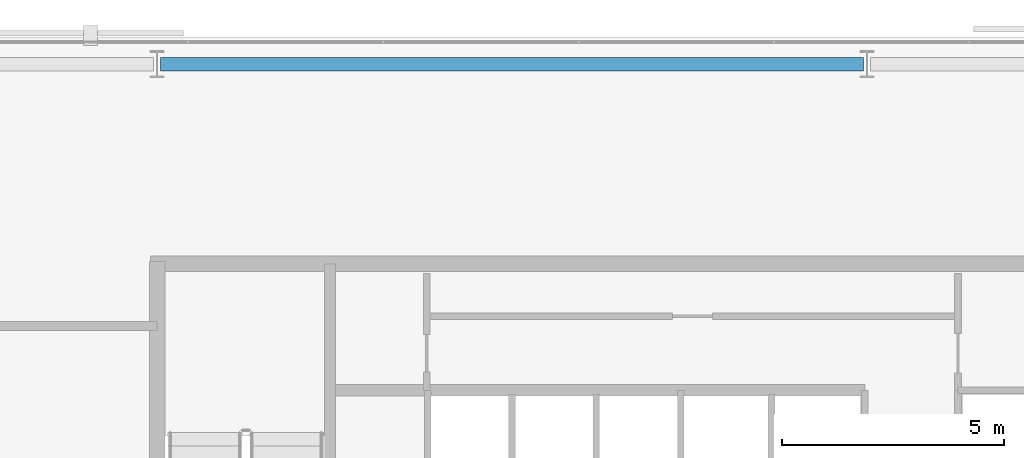
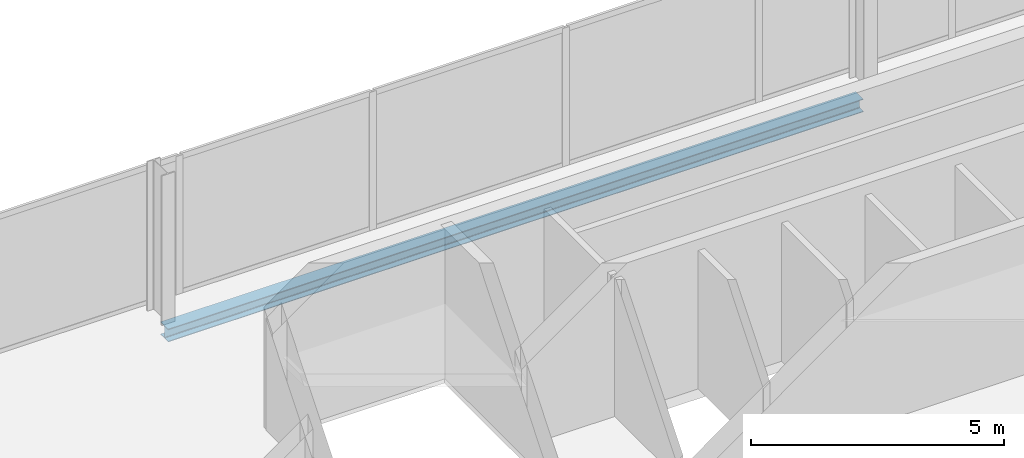
# One storey, part 21 of 32: 1 beam.
"""IFC4 building model written with IfcOpenShell, lengths in metres."""

from ifc_helpers import new_model, si_unit, direction, frame, origin, origin_2d, place, context, subcontext, project, spatial, i_section, extrude, material, material_profile, profile_set, type_object, element, save


model = new_model("IFC4")

# Units and contexts
model_context = context("Model", 3, precision=1e-05, world=origin(), true_north=direction((0.0, 1.0)))
body_context = subcontext(model_context, "Body", "Model", "MODEL_VIEW")
ifc_project = project(units=[si_unit("LENGTHUNIT", "METRE"), si_unit("AREAUNIT", "SQUARE_METRE"), si_unit("VOLUMEUNIT", "CUBIC_METRE"), si_unit("PLANEANGLEUNIT", "RADIAN"), si_unit("MASSUNIT", "GRAM", prefix="KILO")], contexts=[model_context])

# Site, building, storey
site_placement = place(None, origin())
site = spatial("IfcSite", under=ifc_project, at=site_placement, CompositionType="ELEMENT")
building_placement = place(site_placement, origin())
building = spatial("IfcBuilding", under=site, at=building_placement, Name="Catumbela Crestline Tower", CompositionType="ELEMENT")
storey_placement = place(building_placement, frame((0.0, 0.0, 136.8)))
storey = spatial("IfcBuildingStorey", under=building, at=storey_placement, Name="L35", CompositionType="ELEMENT", Elevation=136.8)

# Beam
ifc_material = material(Name="Structural steel S355J2", Category="steel")
ifc_material_profile = material_profile(ifc_material, i_section(OverallWidth=0.3, OverallDepth=0.31, WebThickness=0.009, FlangeThickness=0.0155, FilletRadius=0.027, at=origin_2d()), Name="HEA 320")
ifc_profile_set = profile_set([ifc_material_profile], Name="Structural steel S355J2")
beam_type = type_object("IfcBeamType", Name="BS-HEA320", PredefinedType="SPANDREL", material=ifc_profile_set)
beam_placement = place(storey_placement, frame((16.08, 47.4, -0.415), z_axis=(1.0, 0.0, 0.0), x_axis=(0.0, 1.0, 0.0)))
element("IfcBeam", 1, at=beam_placement, inside=storey, type_object=beam_type, Name="L35 Spandrel SP-L35-NF19", PredefinedType="SPANDREL", context=body_context, shape_type="SweptSolid", body=[
    extrude(i_section(OverallWidth=0.3, OverallDepth=0.31, WebThickness=0.009, FlangeThickness=0.0155, FilletRadius=0.027, at=origin_2d()), origin(), (0.0, 0.0, 1.0), 15.84),
])

save(model, "model.ifc")
